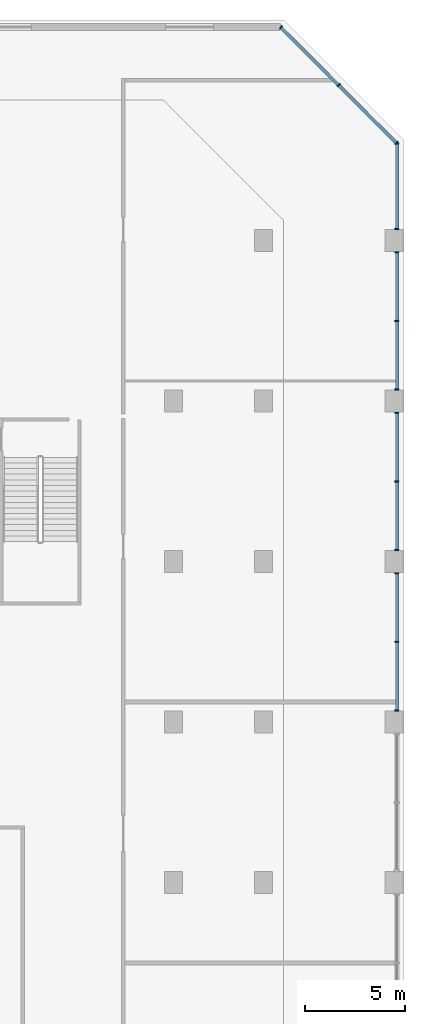
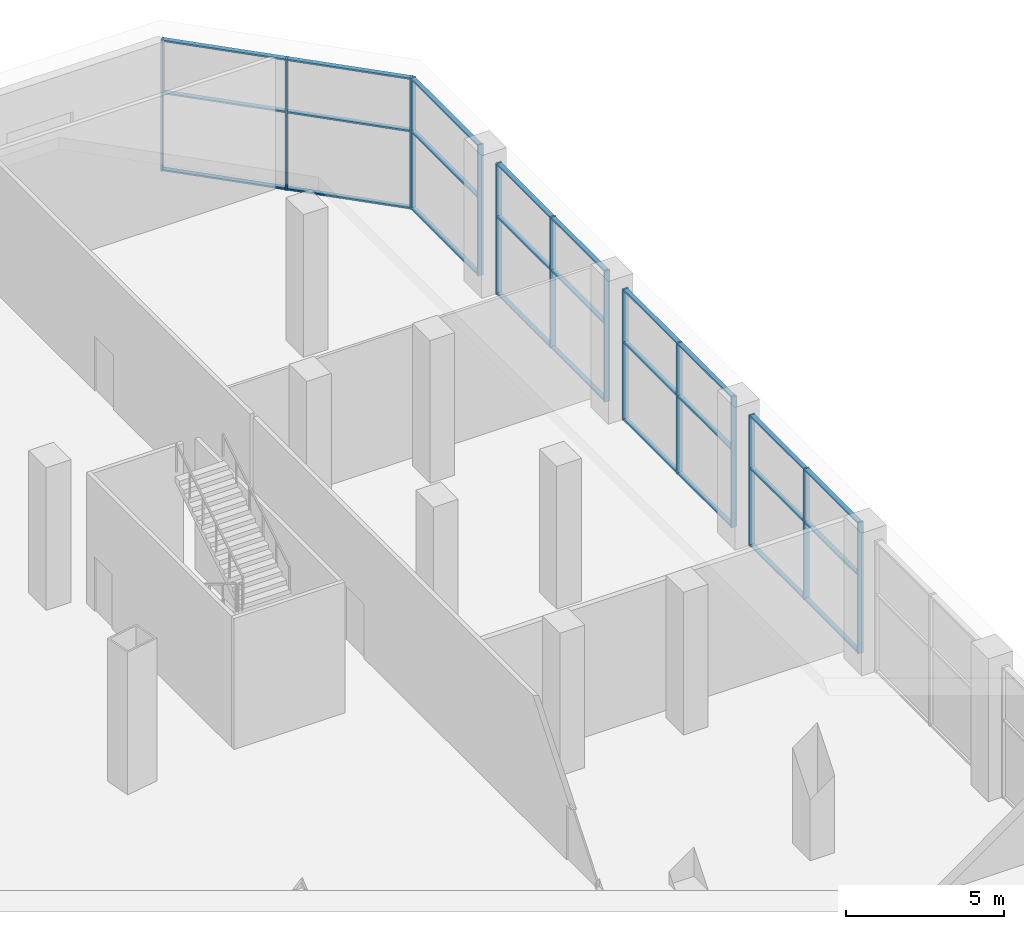
# One storey, part 6 of 26: 41 members, 5 elements without a shape of their own.
"""IFC4 building model written with IfcOpenShell, lengths in metres."""

from ifc_helpers import new_model, si_unit, direction, frame, origin, origin_2d, place, context, subcontext, project, spatial, rectangle, extrude, material, layer, layer_set, material_profile, profile_set, type_object, element, aggregate, save


model = new_model("IFC4")

# Units and contexts
model_context = context("Model", 3, precision=1e-05, world=origin(), true_north=direction((0.0, 1.0)))
body_context = subcontext(model_context, "Body", "Model", "MODEL_VIEW")
ifc_project = project(units=[si_unit("LENGTHUNIT", "METRE"), si_unit("AREAUNIT", "SQUARE_METRE"), si_unit("VOLUMEUNIT", "CUBIC_METRE"), si_unit("PLANEANGLEUNIT", "RADIAN"), si_unit("MASSUNIT", "GRAM", prefix="KILO")], contexts=[model_context])

# Site, building, storey
site_placement = place(None, origin())
site = spatial("IfcSite", under=ifc_project, at=site_placement, CompositionType="ELEMENT")
building_placement = place(site_placement, origin())
building = spatial("IfcBuilding", under=site, at=building_placement, Name="Alderwake Tower", CompositionType="ELEMENT")
storey_placement = place(building_placement, frame((0.0, 0.0, 8.0)))
storey = spatial("IfcBuildingStorey", under=building, at=storey_placement, Name="L01", CompositionType="ELEMENT", Elevation=8.0)

# Curtain wall, members
ifc_material_1 = material(Name="Bronze tinted glass in aluminium frame", Category="aluminium")
ifc_layer = layer(ifc_material_1, 0.25)
ifc_layer_set = layer_set([ifc_layer], Name="Curtain wall CW1 podium shopfront")
curtain_wall_type = type_object("IfcCurtainWallType", Name="Curtain wall CW1 podium shopfront", PredefinedType="NOTDEFINED", material=ifc_layer_set)
curtain_wall_1_placement = place(storey_placement, origin())
curtain_wall_1 = element("IfcCurtainWall", 1, at=curtain_wall_1_placement, inside=storey, type_object=curtain_wall_type, Name="Curtain wall 12", PredefinedType="NOTDEFINED")
ifc_material_2 = material(Name="Aluminium bronze anodised", Category="aluminium")
ifc_material_profile_1 = material_profile(ifc_material_2, rectangle(XDim=0.199951171875, YDim=0.06005859375, at=origin_2d()), Name="Mullion MUA 60x200")
ifc_profile_set_1 = profile_set([ifc_material_profile_1], Name="Aluminium bronze anodised")
member_type_1 = type_object("IfcMemberType", Name="Mullion MUA 60x200", PredefinedType="MULLION", material=ifc_profile_set_1)
member_1_placement = place(storey_placement, frame((84.64990234375, 80.580078125, 0.0), z_axis=(0.0, 0.0, 1.0), x_axis=(-1.0, 0.0, 0.0)))
member_1 = element("IfcMember", 2, at=member_1_placement, type_object=member_type_1, Name="CW.12 mullion 1", PredefinedType="MULLION", context=body_context, shape_type="SweptSolid", body=[
    extrude(rectangle(XDim=0.199951171875, YDim=0.06005859375, at=origin_2d()), origin(), (0.0, 0.0, 1.0), 5.050048828125),
])
member_2_placement = place(storey_placement, frame((84.64990234375, 84.0, 0.0), z_axis=(0.0, 0.0, 1.0), x_axis=(-1.0, 0.0, 0.0)))
member_2 = element("IfcMember", 3, at=member_2_placement, type_object=member_type_1, Name="CW.12 mullion 2", PredefinedType="MULLION", context=body_context, shape_type="SweptSolid", body=[
    extrude(rectangle(XDim=0.199951171875, YDim=0.06005859375, at=origin_2d()), origin(), (0.0, 0.0, 1.0), 5.050048828125),
])
member_3_placement = place(storey_placement, frame((84.64990234375, 87.419921875, 0.0), z_axis=(0.0, 0.0, 1.0), x_axis=(-1.0, 0.0, 0.0)))
member_3 = element("IfcMember", 4, at=member_3_placement, type_object=member_type_1, Name="CW.12 mullion 3", PredefinedType="MULLION", context=body_context, shape_type="SweptSolid", body=[
    extrude(rectangle(XDim=0.199951171875, YDim=0.06005859375, at=origin_2d()), origin(), (0.0, 0.0, 1.0), 5.050048828125),
])

curtain_wall_2_placement = place(storey_placement, origin())
curtain_wall_2 = element("IfcCurtainWall", 5, at=curtain_wall_2_placement, inside=storey, type_object=curtain_wall_type, Name="Curtain wall 13", PredefinedType="NOTDEFINED")
member_4_placement = place(storey_placement, frame((84.64990234375, 88.580078125, 0.0), z_axis=(0.0, 0.0, 1.0), x_axis=(-1.0, 0.0, 0.0)))
member_4 = element("IfcMember", 6, at=member_4_placement, type_object=member_type_1, Name="CW.13 mullion 1", PredefinedType="MULLION", context=body_context, shape_type="SweptSolid", body=[
    extrude(rectangle(XDim=0.199951171875, YDim=0.06005859375, at=origin_2d()), origin(), (0.0, 0.0, 1.0), 5.050048828125),
])
member_5_placement = place(storey_placement, frame((84.64990234375, 92.0, 0.0), z_axis=(0.0, 0.0, 1.0), x_axis=(-1.0, 0.0, 0.0)))
member_5 = element("IfcMember", 7, at=member_5_placement, type_object=member_type_1, Name="CW.13 mullion 2", PredefinedType="MULLION", context=body_context, shape_type="SweptSolid", body=[
    extrude(rectangle(XDim=0.199951171875, YDim=0.06005859375, at=origin_2d()), origin(), (0.0, 0.0, 1.0), 5.050048828125),
])
member_6_placement = place(storey_placement, frame((84.64990234375, 95.419921875, 0.0), z_axis=(0.0, 0.0, 1.0), x_axis=(-1.0, 0.0, 0.0)))
member_6 = element("IfcMember", 8, at=member_6_placement, type_object=member_type_1, Name="CW.13 mullion 3", PredefinedType="MULLION", context=body_context, shape_type="SweptSolid", body=[
    extrude(rectangle(XDim=0.199951171875, YDim=0.06005859375, at=origin_2d()), origin(), (0.0, 0.0, 1.0), 5.050048828125),
])

curtain_wall_3_placement = place(storey_placement, origin())
curtain_wall_3 = element("IfcCurtainWall", 9, at=curtain_wall_3_placement, inside=storey, type_object=curtain_wall_type, Name="Curtain wall 14", PredefinedType="NOTDEFINED")
member_7_placement = place(storey_placement, frame((84.64990234375, 96.580078125, 0.0), z_axis=(0.0, 0.0, 1.0), x_axis=(-1.0, 0.0, 0.0)))
member_7 = element("IfcMember", 10, at=member_7_placement, type_object=member_type_1, Name="CW.14 mullion 1", PredefinedType="MULLION", context=body_context, shape_type="SweptSolid", body=[
    extrude(rectangle(XDim=0.199951171875, YDim=0.06005859375, at=origin_2d()), origin(), (0.0, 0.0, 1.0), 5.050048828125),
])
member_8_placement = place(storey_placement, frame((84.64990234375, 100.0, 0.0), z_axis=(0.0, 0.0, 1.0), x_axis=(-1.0, 0.0, 0.0)))
member_8 = element("IfcMember", 11, at=member_8_placement, type_object=member_type_1, Name="CW.14 mullion 2", PredefinedType="MULLION", context=body_context, shape_type="SweptSolid", body=[
    extrude(rectangle(XDim=0.199951171875, YDim=0.06005859375, at=origin_2d()), origin(), (0.0, 0.0, 1.0), 5.050048828125),
])
member_9_placement = place(storey_placement, frame((84.64990234375, 103.419921875, 0.0), z_axis=(0.0, 0.0, 1.0), x_axis=(-1.0, 0.0, 0.0)))
member_9 = element("IfcMember", 12, at=member_9_placement, type_object=member_type_1, Name="CW.14 mullion 3", PredefinedType="MULLION", context=body_context, shape_type="SweptSolid", body=[
    extrude(rectangle(XDim=0.199951171875, YDim=0.06005859375, at=origin_2d()), origin(), (0.0, 0.0, 1.0), 5.050048828125),
])

curtain_wall_4_placement = place(storey_placement, origin())
curtain_wall_4 = element("IfcCurtainWall", 13, at=curtain_wall_4_placement, inside=storey, type_object=curtain_wall_type, Name="Curtain wall 15", PredefinedType="NOTDEFINED")
member_10_placement = place(storey_placement, frame((84.64990234375, 104.580078125, 0.0), z_axis=(0.0, 0.0, 1.0), x_axis=(-1.0, 0.0, 0.0)))
member_10 = element("IfcMember", 14, at=member_10_placement, type_object=member_type_1, Name="CW.15 mullion 1", PredefinedType="MULLION", context=body_context, shape_type="SweptSolid", body=[
    extrude(rectangle(XDim=0.199951171875, YDim=0.06005859375, at=origin_2d()), origin(), (0.0, 0.0, 1.0), 5.050048828125),
])
member_11_placement = place(storey_placement, frame((84.64990234375, 108.840087890625, 0.0), z_axis=(0.0, 0.0, 1.0), x_axis=(-1.0, 0.0, 0.0)))
member_11 = element("IfcMember", 15, at=member_11_placement, type_object=member_type_1, Name="CW.15 mullion 2", PredefinedType="MULLION", context=body_context, shape_type="SweptSolid", body=[
    extrude(rectangle(XDim=0.199951171875, YDim=0.06005859375, at=origin_2d()), origin(), (0.0, 0.0, 1.0), 5.050048828125),
])

curtain_wall_5_placement = place(storey_placement, origin())
curtain_wall_5 = element("IfcCurtainWall", 16, at=curtain_wall_5_placement, inside=storey, type_object=curtain_wall_type, Name="Curtain wall 16", PredefinedType="NOTDEFINED")
member_12_placement = place(storey_placement, frame((84.62890625, 108.876220703125, 0.0), z_axis=(0.0, 0.0, 1.0), x_axis=(-0.707106781187, -0.707106781187, 0.0)))
member_12 = element("IfcMember", 17, at=member_12_placement, type_object=member_type_1, Name="CW.16 mullion 1", PredefinedType="MULLION", context=body_context, shape_type="SweptSolid", body=[
    extrude(rectangle(XDim=0.199951171875, YDim=0.06005859375, at=origin_2d()), origin(), (0.0, 0.0, 1.0), 5.050048828125),
])
member_13_placement = place(storey_placement, frame((81.747314453125, 111.7578125, 0.0), z_axis=(0.0, 0.0, 1.0), x_axis=(-0.707106781187, -0.707106781187, 0.0)))
member_13 = element("IfcMember", 18, at=member_13_placement, type_object=member_type_1, Name="CW.16 mullion 2", PredefinedType="MULLION", context=body_context, shape_type="SweptSolid", body=[
    extrude(rectangle(XDim=0.199951171875, YDim=0.06005859375, at=origin_2d()), origin(), (0.0, 0.0, 1.0), 5.050048828125),
])
member_14_placement = place(storey_placement, frame((78.86572265625, 114.639404296875, 0.0), z_axis=(0.0, 0.0, 1.0), x_axis=(-0.707106781187, -0.707106781187, 0.0)))
member_14 = element("IfcMember", 19, at=member_14_placement, type_object=member_type_1, Name="CW.16 mullion 3", PredefinedType="MULLION", context=body_context, shape_type="SweptSolid", body=[
    extrude(rectangle(XDim=0.199951171875, YDim=0.06005859375, at=origin_2d()), origin(), (0.0, 0.0, 1.0), 5.050048828125),
])

# Member
ifc_material_3 = material(Name="Aluminium bronze anodised", Category="aluminium")
ifc_material_profile_2 = material_profile(ifc_material_3, rectangle(XDim=0.159912109375, YDim=0.06005859375, at=origin_2d()), Name="Transom TRA 60x160")
ifc_profile_set_2 = profile_set([ifc_material_profile_2], Name="Aluminium bronze anodised")
member_type_2 = type_object("IfcMemberType", Name="Transom TRA 60x160", PredefinedType="USERDEFINED", material=ifc_profile_set_2)
member_15_placement = place(storey_placement, frame((84.64990234375, 80.610107421875, 0.030029296875), z_axis=(0.0, 1.0, 0.0), x_axis=(-1.0, 0.0, 0.0)))
member_15 = element("IfcMember", 20, at=member_15_placement, type_object=member_type_2, Name="CW.12 transom 1.1", ObjectType="TRANSOM", PredefinedType="USERDEFINED", context=body_context, shape_type="SweptSolid", body=[
    extrude(rectangle(XDim=0.159912109375, YDim=0.06005859375, at=origin_2d()), origin(), (0.0, 0.0, 1.0), 3.35986328125),
])

member_16_placement = place(storey_placement, frame((84.64990234375, 80.610107421875, 3.0), z_axis=(0.0, 1.0, 0.0), x_axis=(-1.0, 0.0, 0.0)))
member_16 = element("IfcMember", 21, at=member_16_placement, type_object=member_type_2, Name="CW.12 transom 1.2", ObjectType="TRANSOM", PredefinedType="USERDEFINED", context=body_context, shape_type="SweptSolid", body=[
    extrude(rectangle(XDim=0.159912109375, YDim=0.06005859375, at=origin_2d()), origin(), (0.0, 0.0, 1.0), 3.35986328125),
])

member_17_placement = place(storey_placement, frame((84.64990234375, 80.610107421875, 5.02001953125), z_axis=(0.0, 1.0, 0.0), x_axis=(-1.0, 0.0, 0.0)))
member_17 = element("IfcMember", 22, at=member_17_placement, type_object=member_type_2, Name="CW.12 transom 1.3", ObjectType="TRANSOM", PredefinedType="USERDEFINED", context=body_context, shape_type="SweptSolid", body=[
    extrude(rectangle(XDim=0.159912109375, YDim=0.06005859375, at=origin_2d()), origin(), (0.0, 0.0, 1.0), 3.35986328125),
])

member_18_placement = place(storey_placement, frame((84.64990234375, 84.030029296875, 0.030029296875), z_axis=(0.0, 1.0, 0.0), x_axis=(-1.0, 0.0, 0.0)))
member_18 = element("IfcMember", 23, at=member_18_placement, type_object=member_type_2, Name="CW.12 transom 2.1", ObjectType="TRANSOM", PredefinedType="USERDEFINED", context=body_context, shape_type="SweptSolid", body=[
    extrude(rectangle(XDim=0.159912109375, YDim=0.06005859375, at=origin_2d()), origin(), (0.0, 0.0, 1.0), 3.35986328125),
])

member_19_placement = place(storey_placement, frame((84.64990234375, 84.030029296875, 3.0), z_axis=(0.0, 1.0, 0.0), x_axis=(-1.0, 0.0, 0.0)))
member_19 = element("IfcMember", 24, at=member_19_placement, type_object=member_type_2, Name="CW.12 transom 2.2", ObjectType="TRANSOM", PredefinedType="USERDEFINED", context=body_context, shape_type="SweptSolid", body=[
    extrude(rectangle(XDim=0.159912109375, YDim=0.06005859375, at=origin_2d()), origin(), (0.0, 0.0, 1.0), 3.35986328125),
])

member_20_placement = place(storey_placement, frame((84.64990234375, 84.030029296875, 5.02001953125), z_axis=(0.0, 1.0, 0.0), x_axis=(-1.0, 0.0, 0.0)))
member_20 = element("IfcMember", 25, at=member_20_placement, type_object=member_type_2, Name="CW.12 transom 2.3", ObjectType="TRANSOM", PredefinedType="USERDEFINED", context=body_context, shape_type="SweptSolid", body=[
    extrude(rectangle(XDim=0.159912109375, YDim=0.06005859375, at=origin_2d()), origin(), (0.0, 0.0, 1.0), 3.35986328125),
])

aggregate(curtain_wall_1, [member_1, member_2, member_3, member_15, member_16, member_17, member_18, member_19, member_20])

member_21_placement = place(storey_placement, frame((84.64990234375, 88.610107421875, 0.030029296875), z_axis=(0.0, 1.0, 0.0), x_axis=(-1.0, 0.0, 0.0)))
member_21 = element("IfcMember", 26, at=member_21_placement, type_object=member_type_2, Name="CW.13 transom 1.1", ObjectType="TRANSOM", PredefinedType="USERDEFINED", context=body_context, shape_type="SweptSolid", body=[
    extrude(rectangle(XDim=0.159912109375, YDim=0.06005859375, at=origin_2d()), origin(), (0.0, 0.0, 1.0), 3.35986328125),
])

member_22_placement = place(storey_placement, frame((84.64990234375, 88.610107421875, 3.0), z_axis=(0.0, 1.0, 0.0), x_axis=(-1.0, 0.0, 0.0)))
member_22 = element("IfcMember", 27, at=member_22_placement, type_object=member_type_2, Name="CW.13 transom 1.2", ObjectType="TRANSOM", PredefinedType="USERDEFINED", context=body_context, shape_type="SweptSolid", body=[
    extrude(rectangle(XDim=0.159912109375, YDim=0.06005859375, at=origin_2d()), origin(), (0.0, 0.0, 1.0), 3.35986328125),
])

member_23_placement = place(storey_placement, frame((84.64990234375, 88.610107421875, 5.02001953125), z_axis=(0.0, 1.0, 0.0), x_axis=(-1.0, 0.0, 0.0)))
member_23 = element("IfcMember", 28, at=member_23_placement, type_object=member_type_2, Name="CW.13 transom 1.3", ObjectType="TRANSOM", PredefinedType="USERDEFINED", context=body_context, shape_type="SweptSolid", body=[
    extrude(rectangle(XDim=0.159912109375, YDim=0.06005859375, at=origin_2d()), origin(), (0.0, 0.0, 1.0), 3.35986328125),
])

member_24_placement = place(storey_placement, frame((84.64990234375, 92.030029296875, 0.030029296875), z_axis=(0.0, 1.0, 0.0), x_axis=(-1.0, 0.0, 0.0)))
member_24 = element("IfcMember", 29, at=member_24_placement, type_object=member_type_2, Name="CW.13 transom 2.1", ObjectType="TRANSOM", PredefinedType="USERDEFINED", context=body_context, shape_type="SweptSolid", body=[
    extrude(rectangle(XDim=0.159912109375, YDim=0.06005859375, at=origin_2d()), origin(), (0.0, 0.0, 1.0), 3.35986328125),
])

member_25_placement = place(storey_placement, frame((84.64990234375, 92.030029296875, 3.0), z_axis=(0.0, 1.0, 0.0), x_axis=(-1.0, 0.0, 0.0)))
member_25 = element("IfcMember", 30, at=member_25_placement, type_object=member_type_2, Name="CW.13 transom 2.2", ObjectType="TRANSOM", PredefinedType="USERDEFINED", context=body_context, shape_type="SweptSolid", body=[
    extrude(rectangle(XDim=0.159912109375, YDim=0.06005859375, at=origin_2d()), origin(), (0.0, 0.0, 1.0), 3.35986328125),
])

member_26_placement = place(storey_placement, frame((84.64990234375, 92.030029296875, 5.02001953125), z_axis=(0.0, 1.0, 0.0), x_axis=(-1.0, 0.0, 0.0)))
member_26 = element("IfcMember", 31, at=member_26_placement, type_object=member_type_2, Name="CW.13 transom 2.3", ObjectType="TRANSOM", PredefinedType="USERDEFINED", context=body_context, shape_type="SweptSolid", body=[
    extrude(rectangle(XDim=0.159912109375, YDim=0.06005859375, at=origin_2d()), origin(), (0.0, 0.0, 1.0), 3.35986328125),
])

aggregate(curtain_wall_2, [member_4, member_5, member_6, member_21, member_22, member_23, member_24, member_25, member_26])

member_27_placement = place(storey_placement, frame((84.64990234375, 96.610107421875, 0.030029296875), z_axis=(0.0, 1.0, 0.0), x_axis=(-1.0, 0.0, 0.0)))
member_27 = element("IfcMember", 32, at=member_27_placement, type_object=member_type_2, Name="CW.14 transom 1.1", ObjectType="TRANSOM", PredefinedType="USERDEFINED", context=body_context, shape_type="SweptSolid", body=[
    extrude(rectangle(XDim=0.159912109375, YDim=0.06005859375, at=origin_2d()), origin(), (0.0, 0.0, 1.0), 3.35986328125),
])

member_28_placement = place(storey_placement, frame((84.64990234375, 96.610107421875, 3.0), z_axis=(0.0, 1.0, 0.0), x_axis=(-1.0, 0.0, 0.0)))
member_28 = element("IfcMember", 33, at=member_28_placement, type_object=member_type_2, Name="CW.14 transom 1.2", ObjectType="TRANSOM", PredefinedType="USERDEFINED", context=body_context, shape_type="SweptSolid", body=[
    extrude(rectangle(XDim=0.159912109375, YDim=0.06005859375, at=origin_2d()), origin(), (0.0, 0.0, 1.0), 3.35986328125),
])

member_29_placement = place(storey_placement, frame((84.64990234375, 96.610107421875, 5.02001953125), z_axis=(0.0, 1.0, 0.0), x_axis=(-1.0, 0.0, 0.0)))
member_29 = element("IfcMember", 34, at=member_29_placement, type_object=member_type_2, Name="CW.14 transom 1.3", ObjectType="TRANSOM", PredefinedType="USERDEFINED", context=body_context, shape_type="SweptSolid", body=[
    extrude(rectangle(XDim=0.159912109375, YDim=0.06005859375, at=origin_2d()), origin(), (0.0, 0.0, 1.0), 3.35986328125),
])

member_30_placement = place(storey_placement, frame((84.64990234375, 100.030029296875, 0.030029296875), z_axis=(0.0, 1.0, 0.0), x_axis=(-1.0, 0.0, 0.0)))
member_30 = element("IfcMember", 35, at=member_30_placement, type_object=member_type_2, Name="CW.14 transom 2.1", ObjectType="TRANSOM", PredefinedType="USERDEFINED", context=body_context, shape_type="SweptSolid", body=[
    extrude(rectangle(XDim=0.159912109375, YDim=0.06005859375, at=origin_2d()), origin(), (0.0, 0.0, 1.0), 3.35986328125),
])

member_31_placement = place(storey_placement, frame((84.64990234375, 100.030029296875, 3.0), z_axis=(0.0, 1.0, 0.0), x_axis=(-1.0, 0.0, 0.0)))
member_31 = element("IfcMember", 36, at=member_31_placement, type_object=member_type_2, Name="CW.14 transom 2.2", ObjectType="TRANSOM", PredefinedType="USERDEFINED", context=body_context, shape_type="SweptSolid", body=[
    extrude(rectangle(XDim=0.159912109375, YDim=0.06005859375, at=origin_2d()), origin(), (0.0, 0.0, 1.0), 3.35986328125),
])

member_32_placement = place(storey_placement, frame((84.64990234375, 100.030029296875, 5.02001953125), z_axis=(0.0, 1.0, 0.0), x_axis=(-1.0, 0.0, 0.0)))
member_32 = element("IfcMember", 37, at=member_32_placement, type_object=member_type_2, Name="CW.14 transom 2.3", ObjectType="TRANSOM", PredefinedType="USERDEFINED", context=body_context, shape_type="SweptSolid", body=[
    extrude(rectangle(XDim=0.159912109375, YDim=0.06005859375, at=origin_2d()), origin(), (0.0, 0.0, 1.0), 3.35986328125),
])

aggregate(curtain_wall_3, [member_7, member_8, member_9, member_27, member_28, member_29, member_30, member_31, member_32])

member_33_placement = place(storey_placement, frame((84.64990234375, 104.610107421875, 0.030029296875), z_axis=(0.0, 1.0, 0.0), x_axis=(-1.0, 0.0, 0.0)))
member_33 = element("IfcMember", 38, at=member_33_placement, type_object=member_type_2, Name="CW.15 transom 1.1", ObjectType="TRANSOM", PredefinedType="USERDEFINED", context=body_context, shape_type="SweptSolid", body=[
    extrude(rectangle(XDim=0.159912109375, YDim=0.06005859375, at=origin_2d()), origin(), (0.0, 0.0, 1.0), 4.199951171875),
])

member_34_placement = place(storey_placement, frame((84.64990234375, 104.610107421875, 3.0), z_axis=(0.0, 1.0, 0.0), x_axis=(-1.0, 0.0, 0.0)))
member_34 = element("IfcMember", 39, at=member_34_placement, type_object=member_type_2, Name="CW.15 transom 1.2", ObjectType="TRANSOM", PredefinedType="USERDEFINED", context=body_context, shape_type="SweptSolid", body=[
    extrude(rectangle(XDim=0.159912109375, YDim=0.06005859375, at=origin_2d()), origin(), (0.0, 0.0, 1.0), 4.199951171875),
])

member_35_placement = place(storey_placement, frame((84.64990234375, 104.610107421875, 5.02001953125), z_axis=(0.0, 1.0, 0.0), x_axis=(-1.0, 0.0, 0.0)))
member_35 = element("IfcMember", 40, at=member_35_placement, type_object=member_type_2, Name="CW.15 transom 1.3", ObjectType="TRANSOM", PredefinedType="USERDEFINED", context=body_context, shape_type="SweptSolid", body=[
    extrude(rectangle(XDim=0.159912109375, YDim=0.06005859375, at=origin_2d()), origin(), (0.0, 0.0, 1.0), 4.199951171875),
])

aggregate(curtain_wall_4, [member_10, member_11, member_33, member_34, member_35])

member_36_placement = place(storey_placement, frame((84.607666015625, 108.8974609375, 0.030029296875), z_axis=(-0.70713718196, 0.707076379106, 0.0), x_axis=(-0.707076379106, -0.70713718196, 0.0)))
member_36 = element("IfcMember", 41, at=member_36_placement, type_object=member_type_2, Name="CW.16 transom 1.1", ObjectType="TRANSOM", PredefinedType="USERDEFINED", context=body_context, shape_type="SweptSolid", body=[
    extrude(rectangle(XDim=0.159912109375, YDim=0.06005859375, at=origin_2d()), origin(), (0.0, 0.0, 1.0), 4.015380859375),
])

member_37_placement = place(storey_placement, frame((84.607666015625, 108.8974609375, 3.0), z_axis=(-0.70713718196, 0.707076379106, 0.0), x_axis=(-0.707076379106, -0.70713718196, 0.0)))
member_37 = element("IfcMember", 42, at=member_37_placement, type_object=member_type_2, Name="CW.16 transom 1.2", ObjectType="TRANSOM", PredefinedType="USERDEFINED", context=body_context, shape_type="SweptSolid", body=[
    extrude(rectangle(XDim=0.159912109375, YDim=0.06005859375, at=origin_2d()), origin(), (0.0, 0.0, 1.0), 4.015380859375),
])

member_38_placement = place(storey_placement, frame((84.607666015625, 108.8974609375, 5.02001953125), z_axis=(-0.70713718196, 0.707076379106, 0.0), x_axis=(-0.707076379106, -0.70713718196, 0.0)))
member_38 = element("IfcMember", 43, at=member_38_placement, type_object=member_type_2, Name="CW.16 transom 1.3", ObjectType="TRANSOM", PredefinedType="USERDEFINED", context=body_context, shape_type="SweptSolid", body=[
    extrude(rectangle(XDim=0.159912109375, YDim=0.06005859375, at=origin_2d()), origin(), (0.0, 0.0, 1.0), 4.015380859375),
])

member_39_placement = place(storey_placement, frame((81.72607421875, 111.779052734375, 0.030029296875), z_axis=(-0.70713718196, 0.707076379106, 0.0), x_axis=(-0.707076379106, -0.70713718196, 0.0)))
member_39 = element("IfcMember", 44, at=member_39_placement, type_object=member_type_2, Name="CW.16 transom 2.1", ObjectType="TRANSOM", PredefinedType="USERDEFINED", context=body_context, shape_type="SweptSolid", body=[
    extrude(rectangle(XDim=0.159912109375, YDim=0.06005859375, at=origin_2d()), origin(), (0.0, 0.0, 1.0), 4.015380859375),
])

member_40_placement = place(storey_placement, frame((81.72607421875, 111.779052734375, 3.0), z_axis=(-0.70713718196, 0.707076379106, 0.0), x_axis=(-0.707076379106, -0.70713718196, 0.0)))
member_40 = element("IfcMember", 45, at=member_40_placement, type_object=member_type_2, Name="CW.16 transom 2.2", ObjectType="TRANSOM", PredefinedType="USERDEFINED", context=body_context, shape_type="SweptSolid", body=[
    extrude(rectangle(XDim=0.159912109375, YDim=0.06005859375, at=origin_2d()), origin(), (0.0, 0.0, 1.0), 4.015380859375),
])

member_41_placement = place(storey_placement, frame((81.72607421875, 111.779052734375, 5.02001953125), z_axis=(-0.70713718196, 0.707076379106, 0.0), x_axis=(-0.707076379106, -0.70713718196, 0.0)))
member_41 = element("IfcMember", 46, at=member_41_placement, type_object=member_type_2, Name="CW.16 transom 2.3", ObjectType="TRANSOM", PredefinedType="USERDEFINED", context=body_context, shape_type="SweptSolid", body=[
    extrude(rectangle(XDim=0.159912109375, YDim=0.06005859375, at=origin_2d()), origin(), (0.0, 0.0, 1.0), 4.015380859375),
])

aggregate(curtain_wall_5, [member_12, member_13, member_14, member_36, member_37, member_38, member_39, member_40, member_41])

save(model, "model.ifc")
